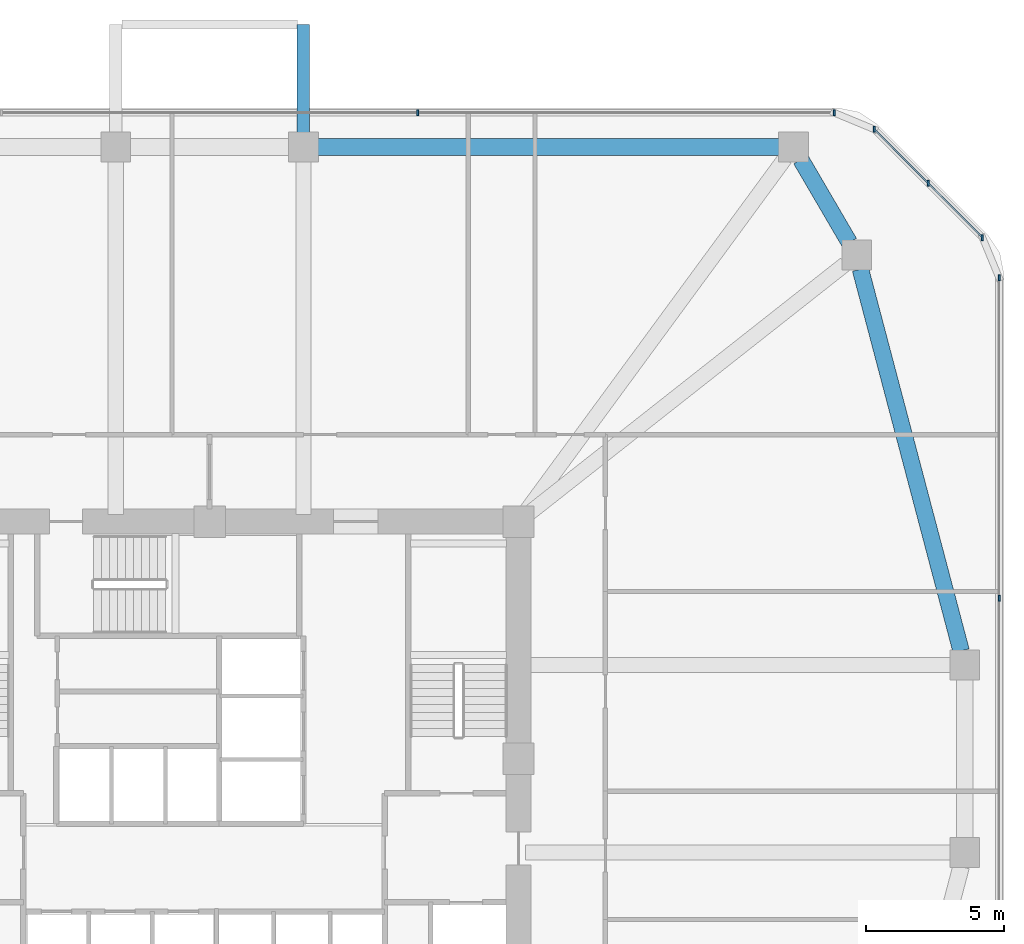
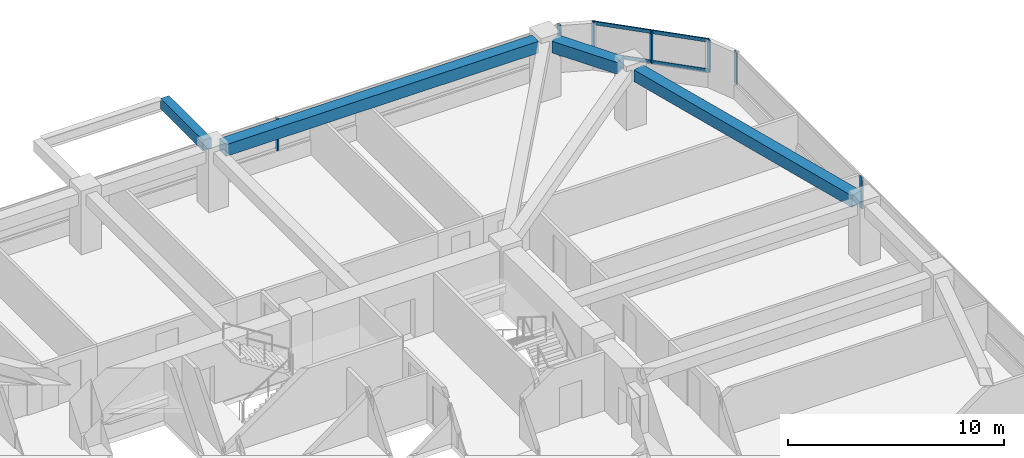
# One storey, part 7 of 14: 9 members, 4 beams, 3 elements without a shape of their own.
"""IFC4 building model written with IfcOpenShell, lengths in metres."""

from ifc_helpers import new_model, si_unit, derived_unit, direction, frame, origin, origin_2d, place, context, subcontext, project, spatial, rectangle, extrude, material, material_profile, profile_set, type_object, element, aggregate, save


model = new_model("IFC4")

# Units and contexts
model_context = context("Model", 3, precision=1e-05, world=origin(), true_north=direction((0.0, 1.0)))
body_context = subcontext(model_context, "Body", "Model", "MODEL_VIEW")
ifc_project = project(units=[si_unit("LENGTHUNIT", "METRE"), si_unit("AREAUNIT", "SQUARE_METRE"), si_unit("VOLUMEUNIT", "CUBIC_METRE"), si_unit("PLANEANGLEUNIT", "RADIAN"), si_unit("MASSUNIT", "GRAM", prefix="KILO"), derived_unit("THERMALTRANSMITTANCEUNIT", [(si_unit("POWERUNIT", "WATT"), 1), (si_unit("LENGTHUNIT", "METRE"), -2), (si_unit("THERMODYNAMICTEMPERATUREUNIT", "KELVIN"), -1)])], contexts=[model_context])

# Site, building, storey
site_placement = place(None, origin())
site = spatial("IfcSite", under=ifc_project, at=site_placement, CompositionType="ELEMENT")
building_placement = place(site_placement, origin())
building = spatial("IfcBuilding", under=site, at=building_placement, Name="Koralith Skygarden Medical Center", CompositionType="ELEMENT")
storey_placement = place(building_placement, frame((0.0, 0.0, 34.739990234375)))
storey = spatial("IfcBuildingStorey", under=building, at=storey_placement, Name="L08", CompositionType="ELEMENT", Elevation=34.739990234375)

# Curtain wall, members
ifc_material_1 = material(Name="Clear Laminated Glass", Category="glass")
curtain_wall_type = type_object("IfcCurtainWallType", Name="CW-2 Zone 1 Hurricane Unitised Curtain Wall", PredefinedType="NOTDEFINED", material=ifc_material_1)
curtain_wall_1_placement = place(storey_placement, origin())
curtain_wall_1 = element("IfcCurtainWall", 1, at=curtain_wall_1_placement, inside=storey, type_object=curtain_wall_type, Name="Curtain Wall CW-L08-E", PredefinedType="NOTDEFINED")
ifc_material_2 = material(Name="Aluminium 6063-T6", Category="aluminium")
ifc_material_profile_1 = material_profile(ifc_material_2, rectangle(XDim=0.071044921875, YDim=0.219970703125, at=origin_2d()), Name="MUL71X220")
ifc_profile_set_1 = profile_set([ifc_material_profile_1], Name="Aluminium 6063-T6")
member_type_1 = type_object("IfcMemberType", Name="CW-2 Extruded Mullion 71x220", PredefinedType="MULLION", material=ifc_profile_set_1)
member_1_placement = place(storey_placement, frame((65.6201171875, 31.715087890625, 0.85009765625), z_axis=(0.0, 0.0, 1.0), x_axis=(1.0, 0.0, 0.0)))
member_1 = element("IfcMember", 2, at=member_1_placement, type_object=member_type_1, Name="CW-L08-E Mullion 3", PredefinedType="MULLION", context=body_context, shape_type="SweptSolid", body=[
    extrude(rectangle(XDim=0.071044921875, YDim=0.219970703125, at=origin_2d()), origin(), (0.0, 0.0, 1.0), 1.7998046875),
])
member_2_placement = place(storey_placement, frame((65.6201171875, 43.344970703125, 0.85009765625), z_axis=(0.0, 0.0, 1.0), x_axis=(1.0, 0.0, 0.0)))
member_2 = element("IfcMember", 3, at=member_2_placement, type_object=member_type_1, Name="CW-L08-E Mullion 4", PredefinedType="MULLION", context=body_context, shape_type="SweptSolid", body=[
    extrude(rectangle(XDim=0.071044921875, YDim=0.219970703125, at=origin_2d()), origin(), (0.0, 0.0, 1.0), 1.7998046875),
])
aggregate(curtain_wall_1, [member_1, member_2])

curtain_wall_2_placement = place(storey_placement, origin())
curtain_wall_2 = element("IfcCurtainWall", 4, at=curtain_wall_2_placement, inside=storey, type_object=curtain_wall_type, Name="Curtain Wall CW-L08-NE", PredefinedType="NOTDEFINED")
member_3_placement = place(storey_placement, frame((65.01904296875, 44.7958984375, 0.85009765625), z_axis=(0.0, 0.0, 1.0), x_axis=(1.0, 0.0, 0.0)))
member_3 = element("IfcMember", 5, at=member_3_placement, type_object=member_type_1, Name="CW-L08-NE Mullion 1", PredefinedType="MULLION", context=body_context, shape_type="SweptSolid", body=[
    extrude(rectangle(XDim=0.071044921875, YDim=0.219970703125, at=origin_2d()), origin(), (0.0, 0.0, 1.0), 1.7998046875),
])
member_4_placement = place(storey_placement, frame((63.05810546875, 46.758056640625, 0.85009765625), z_axis=(0.0, 0.0, 1.0), x_axis=(1.0, 0.0, 0.0)))
member_4 = element("IfcMember", 6, at=member_4_placement, type_object=member_type_1, Name="CW-L08-NE Mullion 2", PredefinedType="MULLION", context=body_context, shape_type="SweptSolid", body=[
    extrude(rectangle(XDim=0.071044921875, YDim=0.219970703125, at=origin_2d()), origin(), (0.0, 0.0, 1.0), 1.7998046875),
])
member_5_placement = place(storey_placement, frame((61.095947265625, 48.718994140625, 0.85009765625), z_axis=(0.0, 0.0, 1.0), x_axis=(1.0, 0.0, 0.0)))
member_5 = element("IfcMember", 7, at=member_5_placement, type_object=member_type_1, Name="CW-L08-NE Mullion 3", PredefinedType="MULLION", context=body_context, shape_type="SweptSolid", body=[
    extrude(rectangle(XDim=0.071044921875, YDim=0.219970703125, at=origin_2d()), origin(), (0.0, 0.0, 1.0), 1.7998046875),
])

curtain_wall_3_placement = place(storey_placement, origin())
curtain_wall_3 = element("IfcCurtainWall", 8, at=curtain_wall_3_placement, inside=storey, type_object=curtain_wall_type, Name="Curtain Wall CW-L08-N", PredefinedType="NOTDEFINED")
member_6_placement = place(storey_placement, frame((59.64501953125, 49.320068359375, 0.85009765625), z_axis=(0.0, 0.0, 1.0), x_axis=(1.0, 0.0, 0.0)))
member_6 = element("IfcMember", 9, at=member_6_placement, type_object=member_type_1, Name="CW-L08-N Mullion 1", PredefinedType="MULLION", context=body_context, shape_type="SweptSolid", body=[
    extrude(rectangle(XDim=0.071044921875, YDim=0.219970703125, at=origin_2d()), origin(), (0.0, 0.0, 1.0), 1.7998046875),
])
member_7_placement = place(storey_placement, frame((44.548095703125, 49.320068359375, 0.85009765625), z_axis=(0.0, 0.0, 1.0), x_axis=(1.0, 0.0, 0.0)))
member_7 = element("IfcMember", 10, at=member_7_placement, type_object=member_type_1, Name="CW-L08-N Mullion 2", PredefinedType="MULLION", context=body_context, shape_type="SweptSolid", body=[
    extrude(rectangle(XDim=0.071044921875, YDim=0.219970703125, at=origin_2d()), origin(), (0.0, 0.0, 1.0), 1.7998046875),
])
aggregate(curtain_wall_3, [member_6, member_7])

# Member
ifc_material_profile_2 = material_profile(ifc_material_2, rectangle(XDim=0.06591796875, YDim=0.197998046875, at=origin_2d()), Name="TRN66X198")
ifc_profile_set_2 = profile_set([ifc_material_profile_2], Name="Aluminium 6063-T6")
member_type_2 = type_object("IfcMemberType", Name="CW-2 Thermal Transom 66x198", PredefinedType="USERDEFINED", material=ifc_profile_set_2)
member_8_placement = place(storey_placement, frame((65.01904296875, 44.7958984375, 0.89990234375), z_axis=(-0.707106781187, 0.707106781187, 0.0), x_axis=(-0.707106781187, -0.707106781187, 0.0)))
member_8 = element("IfcMember", 11, at=member_8_placement, type_object=member_type_2, Name="CW-L08-NE Transom 1", ObjectType="TRANSOM", PredefinedType="USERDEFINED", context=body_context, shape_type="SweptSolid", body=[
    extrude(rectangle(XDim=0.06591796875, YDim=0.197998046875, at=origin_2d()), origin(), (0.0, 0.0, 1.0), 5.548095703125),
])

member_9_placement = place(storey_placement, frame((65.01904296875, 44.7958984375, 2.60009765625), z_axis=(-0.707106781187, 0.707106781187, 0.0), x_axis=(-0.707106781187, -0.707106781187, 0.0)))
member_9 = element("IfcMember", 12, at=member_9_placement, type_object=member_type_2, Name="CW-L08-NE Transom 2", ObjectType="TRANSOM", PredefinedType="USERDEFINED", context=body_context, shape_type="SweptSolid", body=[
    extrude(rectangle(XDim=0.06591796875, YDim=0.197998046875, at=origin_2d()), origin(), (0.0, 0.0, 1.0), 5.548095703125),
])

aggregate(curtain_wall_2, [member_3, member_4, member_5, member_8, member_9])

# Beams
ifc_material_3 = material(Name="Concrete C45/55", Category="concrete")
ifc_material_profile_3 = material_profile(ifc_material_3, rectangle(XDim=0.449951171875, YDim=0.60009765625, at=origin_2d()), Name="RCB450X600")
ifc_profile_set_3 = profile_set([ifc_material_profile_3], Name="Concrete C45/55")
beam_type_1 = type_object("IfcBeamType", Name="Planted Balcony Cantilever Beam RCB450X600", PredefinedType="BEAM", material=ifc_profile_set_3)
beam_1_placement = place(storey_placement, frame((40.39990234375, 48.60009765625, 3.0400390625), z_axis=(0.0, 1.0, 0.0), x_axis=(-1.0, 0.0, 0.0)))
element("IfcBeam", 13, at=beam_1_placement, inside=storey, type_object=beam_type_1, Name="L09 N Balcony Cantilever Beam B", PredefinedType="BEAM", context=body_context, shape_type="SweptSolid", body=[
    extrude(rectangle(XDim=0.449951171875, YDim=0.60009765625, at=origin_2d()), origin(), (0.0, 0.0, 1.0), 3.919921875),
])
ifc_material_profile_4 = material_profile(ifc_material_3, rectangle(XDim=0.60009765625, YDim=0.659912109375, at=origin_2d()), Name="RCB600X660")
ifc_profile_set_4 = profile_set([ifc_material_profile_4], Name="Concrete C45/55")
beam_type_2 = type_object("IfcBeamType", Name="Zone 1 Spandrel Beam RCB600X660", PredefinedType="SPANDREL", material=ifc_profile_set_4)
beam_2_placement = place(storey_placement, frame((64.2451171875, 29.81201171875, 2.989990234375), z_axis=(-0.255088684842, 0.966917660851, 0.0), x_axis=(-0.966917660851, -0.255088684842, 0.0)))
element("IfcBeam", 14, at=beam_2_placement, inside=storey, type_object=beam_type_2, Name="L08 Perimeter Spandrel Beam SP-09", PredefinedType="SPANDREL", context=body_context, shape_type="SweptSolid", body=[
    extrude(rectangle(XDim=0.60009765625, YDim=0.659912109375, at=origin_2d()), origin(), (0.0, 0.0, 1.0), 14.309326171875),
])
beam_3_placement = place(storey_placement, frame((60.19189453125, 44.617919921875, 2.989990234375), z_axis=(-0.504608092658, 0.863348523381, 0.0), x_axis=(-0.863348523381, -0.504608092658, 0.0)))
element("IfcBeam", 15, at=beam_3_placement, inside=storey, type_object=beam_type_2, Name="L08 Perimeter Spandrel Beam SP-10", PredefinedType="SPANDREL", context=body_context, shape_type="SweptSolid", body=[
    extrude(rectangle(XDim=0.60009765625, YDim=0.659912109375, at=origin_2d()), origin(), (0.0, 0.0, 1.0), 3.479736328125),
])
beam_4_placement = place(storey_placement, frame((57.637939453125, 48.080078125, 2.989990234375), z_axis=(-1.0, 0.0, 0.0), x_axis=(0.0, -1.0, 0.0)))
element("IfcBeam", 16, at=beam_4_placement, inside=storey, type_object=beam_type_2, Name="L08 Perimeter Spandrel Beam SP-11", PredefinedType="SPANDREL", context=body_context, shape_type="SweptSolid", body=[
    extrude(rectangle(XDim=0.60009765625, YDim=0.659912109375, at=origin_2d()), origin(), (0.0, 0.0, 1.0), 16.7080078125),
])

save(model, "model.ifc")
